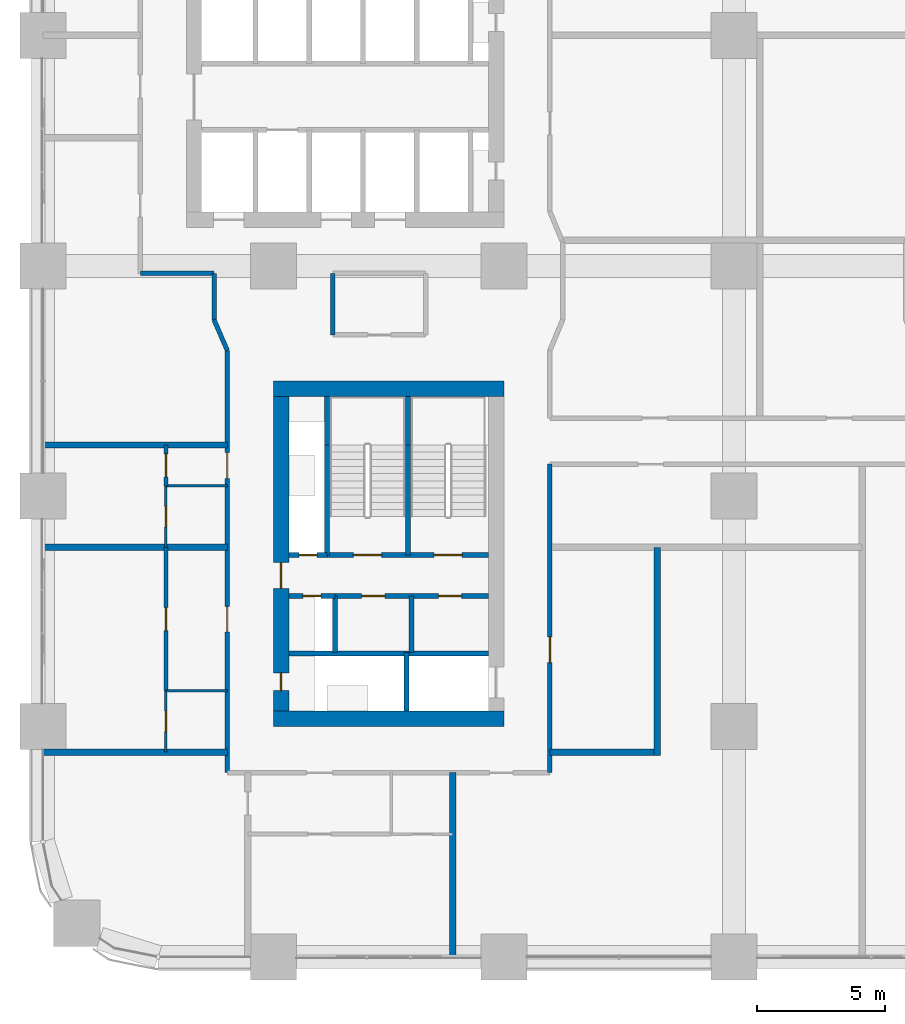
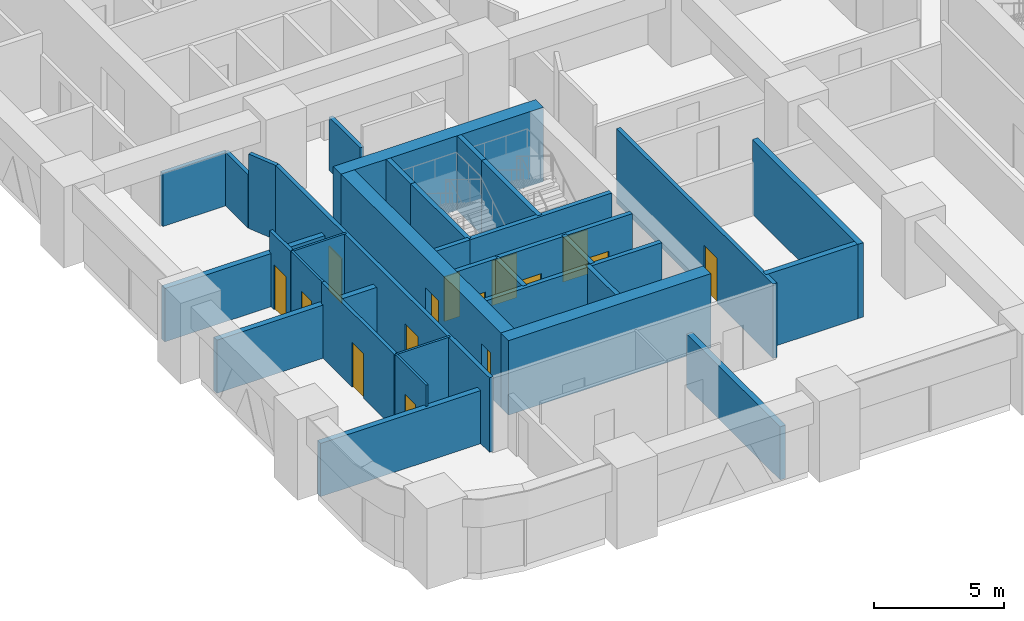
# One storey, part 13 of 23: 33 walls, 15 doors, 15 openings.
"""IFC4 building model written with IfcOpenShell, lengths in metres."""

from ifc_helpers import new_model, si_unit, direction, frame, frame_2d, origin, place, context, subcontext, project, spatial, rectangle, extrude, material, layer, layer_set, type_object, element, fill, save


model = new_model("IFC4")

# Units and contexts
model_context = context("Model", 3, precision=1e-05, world=origin(), true_north=direction((0.0, 1.0)))
body_context = subcontext(model_context, "Body", "Model", "MODEL_VIEW")
ifc_project = project(units=[si_unit("LENGTHUNIT", "METRE"), si_unit("AREAUNIT", "SQUARE_METRE"), si_unit("VOLUMEUNIT", "CUBIC_METRE"), si_unit("PLANEANGLEUNIT", "RADIAN"), si_unit("MASSUNIT", "GRAM", prefix="KILO")], contexts=[model_context])

# Site, building, storey
site_placement = place(None, origin())
site = spatial("IfcSite", under=ifc_project, at=site_placement, CompositionType="ELEMENT")
building_placement = place(site_placement, origin())
building = spatial("IfcBuilding", under=site, at=building_placement, Name="Tessera Arch", CompositionType="ELEMENT")
storey_placement = place(building_placement, frame((0.0, 0.0, 34.800048828125)))
storey = spatial("IfcBuildingStorey", under=building, at=storey_placement, Name="L06", CompositionType="ELEMENT", Elevation=34.800048828125)

# Wall
ifc_material_1 = material(Name="Gypsum board on steel stud", Category="steel")
ifc_layer_1 = layer(ifc_material_1, 0.125)
ifc_layer_set_1 = layer_set([ifc_layer_1], Name="Core partition 125 EI 60")
wall_type_1 = type_object("IfcWallType", Name="Core partition 125 EI 60", PredefinedType="PARTITIONING", material=ifc_layer_set_1)
wall_1_placement = place(storey_placement, frame((14.39990234375, 11.89990234375, 0.0), z_axis=(0.0, 0.0, 1.0), x_axis=(0.0, 1.0, 0.0)))
element("IfcWall", 1, at=wall_1_placement, inside=storey, type_object=wall_type_1, Name="L06 C4 partition wall 7", PredefinedType="PARTITIONING", context=body_context, shape_type="SweptSolid", body=[
    extrude(rectangle(XDim=2.2001953125, YDim=0.199951171875, at=frame_2d((1.10009765625, 0.0))), origin(), (0.0, 0.0, 1.0), 3.5),
])

# Wall, openings, doors
wall_2_placement = place(storey_placement, frame((11.39990234375, 14.10009765625, 0.0), z_axis=(0.0, 0.0, 1.0), x_axis=(1.0, 0.0, 0.0)))
wall_2 = element("IfcWall", 2, at=wall_2_placement, inside=storey, type_object=wall_type_1, Name="L06 C4 partition wall 9", PredefinedType="PARTITIONING", context=body_context, shape_type="SweptSolid", body=[
    extrude(rectangle(XDim=6.0, YDim=0.199951171875, at=frame_2d((3.0, 0.0))), origin(), (0.0, 0.0, 1.0), 3.5),
])
opening_1_placement = place(wall_2_placement, frame((1.050048828125, 0.0, 0.0)))
opening_1 = element("IfcOpeningElement", 3, at=opening_1_placement, cuts=wall_2, Name="Opening L06-C47", PredefinedType="OPENING", context=body_context, shape_type="SweptSolid", body=[
    extrude(rectangle(XDim=0.89990234375, YDim=2.10009765625, at=frame_2d((0.449951171875, 1.050048828125))), frame((0.0, 0.10986328125, 0.0), z_axis=(0.0, -1.0, 0.0), x_axis=(1.0, 0.0, 0.0)), (0.0, 0.0, 1.0), 0.219970703125),
])
opening_2_placement = place(wall_2_placement, frame((4.050048828125, 0.0, 0.0)))
opening_2 = element("IfcOpeningElement", 4, at=opening_2_placement, cuts=wall_2, Name="Opening L06-C48", PredefinedType="OPENING", context=body_context, shape_type="SweptSolid", body=[
    extrude(rectangle(XDim=0.89990234375, YDim=2.10009765625, at=frame_2d((0.449951171875, 1.050048828125))), frame((0.0, 0.10986328125, 0.0), z_axis=(0.0, -1.0, 0.0), x_axis=(1.0, 0.0, 0.0)), (0.0, 0.0, 1.0), 0.219970703125),
])
ifc_material_2 = material(Name="Steel door leaf", Category="steel")
door_type_1 = type_object("IfcDoorType", Name="Store door FD30S 900 x 2100", OperationType="SINGLE_SWING_LEFT", PredefinedType="DOOR", material=ifc_material_2)
door_1_placement = place(opening_1_placement, origin())
door_1 = element("IfcDoor", 5, at=door_1_placement, inside=storey, type_object=door_type_1, Name="L06 C4 door 8 C47 type D09", OperationType="SINGLE_SWING_LEFT", OverallHeight=2.10009765625, OverallWidth=0.89990234375, PredefinedType="DOOR", context=body_context, shape_type="SweptSolid", body=[
    extrude(rectangle(XDim=0.89990234375, YDim=2.10009765625, at=frame_2d((0.449951171875, 1.050048828125))), frame((0.0, 0.02490234375, 0.0), z_axis=(0.0, -1.0, 0.0), x_axis=(1.0, 0.0, 0.0)), (0.0, 0.0, 1.0), 0.050048828125),
])
fill(opening_1, door_1)
door_2_placement = place(opening_2_placement, origin())
door_2 = element("IfcDoor", 6, at=door_2_placement, inside=storey, type_object=door_type_1, Name="L06 C4 door 9 C48 type D09", OperationType="SINGLE_SWING_RIGHT", OverallHeight=2.10009765625, OverallWidth=0.89990234375, PredefinedType="DOOR", context=body_context, shape_type="SweptSolid", body=[
    extrude(rectangle(XDim=0.89990234375, YDim=2.10009765625, at=frame_2d((0.449951171875, 1.050048828125))), frame((0.0, 0.02490234375, 0.0), z_axis=(0.0, -1.0, 0.0), x_axis=(1.0, 0.0, 0.0)), (0.0, 0.0, 1.0), 0.050048828125),
])
fill(opening_2, door_2)

# Walls
ifc_material_3 = material(Name="Concrete C70/85", Category="concrete")
ifc_layer_2 = layer(ifc_material_3, 0.60009765625)
ifc_layer_set_2 = layer_set([ifc_layer_2], Name="Core shell wall 600 C70-85")
wall_type_2 = type_object("IfcWallType", Name="Core shell wall 600 C70-85", PredefinedType="SHEAR", material=ifc_layer_set_2)
for number, where, z_axis, x_axis, name in (
    (7, (9.0, 9.300048828125, 0.0), (0.0, 0.0, 1.0), (1.0, 0.0, 0.0), "L06 C4 core wall S"),
    (8, (9.0, 22.199951171875, 0.0), (0.0, 0.0, 1.0), (1.0, 0.0, 0.0), "L06 C4 core wall N"),
):
    element("IfcWall", number, at=place(storey_placement, frame(where, z_axis=z_axis, x_axis=x_axis)), inside=storey, type_object=wall_type_2, Name=name, PredefinedType="SHEAR", context=body_context, shape_type="SweptSolid", body=[
        extrude(rectangle(XDim=9.0, YDim=0.60009765625, at=frame_2d((4.5, 0.0))), origin(), (0.0, 0.0, 1.0), 3.5),
    ])

# Wall, openings, doors
wall_3_placement = place(storey_placement, frame((9.300048828125, 9.60009765625, 0.0), z_axis=(0.0, 0.0, 1.0), x_axis=(0.0, 1.0, 0.0)))
wall_3 = element("IfcWall", 9, at=wall_3_placement, inside=storey, type_object=wall_type_2, Name="L06 C4 core wall W", PredefinedType="SHEAR", context=body_context, shape_type="SweptSolid", body=[
    extrude(rectangle(XDim=12.2998046875, YDim=0.60009765625, at=frame_2d((6.14990234375, 0.0))), origin(), (0.0, 0.0, 1.0), 3.5),
])
opening_3_placement = place(wall_3_placement, frame((0.800048828125, 0.0, 0.0)))
opening_3 = element("IfcOpeningElement", 10, at=opening_3_placement, cuts=wall_3, Name="Opening L06-C45", PredefinedType="OPENING", context=body_context, shape_type="SweptSolid", body=[
    extrude(rectangle(XDim=0.699951171875, YDim=2.10009765625, at=frame_2d((0.35009765625, 1.050048828125))), frame((0.0, 0.31005859375, 0.0), z_axis=(0.0, -1.0, 0.0), x_axis=(1.0, 0.0, 0.0)), (0.0, 0.0, 1.0), 0.6201171875),
])
opening_4_placement = place(wall_3_placement, frame((4.800048828125, 0.0, 0.0)))
opening_4 = element("IfcOpeningElement", 11, at=opening_4_placement, cuts=wall_3, Name="Opening L06-C46", PredefinedType="OPENING", context=body_context, shape_type="SweptSolid", body=[
    extrude(rectangle(XDim=1.0, YDim=2.10009765625, at=frame_2d((0.5, 1.050048828125))), frame((0.0, 0.31005859375, 0.0), z_axis=(0.0, -1.0, 0.0), x_axis=(1.0, 0.0, 0.0)), (0.0, 0.0, 1.0), 0.6201171875),
])
ifc_material_4 = material(Name="Steel door leaf", Category="steel")
door_type_2 = type_object("IfcDoorType", Name="Corridor door FD60 1000 x 2100", OperationType="SINGLE_SWING_LEFT", PredefinedType="DOOR", material=ifc_material_4)
door_3_placement = place(opening_4_placement, origin())
door_3 = element("IfcDoor", 12, at=door_3_placement, inside=storey, type_object=door_type_2, Name="L06 C4 door 7 C46 type D12", OperationType="SINGLE_SWING_LEFT", OverallHeight=2.10009765625, OverallWidth=1.0, PredefinedType="DOOR", context=body_context, shape_type="SweptSolid", body=[
    extrude(rectangle(XDim=1.0, YDim=2.10009765625, at=frame_2d((0.5, 1.050048828125))), frame((0.0, 0.02490234375, 0.0), z_axis=(0.0, -1.0, 0.0), x_axis=(1.0, 0.0, 0.0)), (0.0, 0.0, 1.0), 0.050048828125),
])
fill(opening_4, door_3)
ifc_material_5 = material(Name="Steel door leaf", Category="steel")
door_type_3 = type_object("IfcDoorType", Name="Service shaft door FD60 700 x 2100", OperationType="SINGLE_SWING_LEFT", PredefinedType="DOOR", material=ifc_material_5)
door_4_placement = place(opening_3_placement, origin())
door_4 = element("IfcDoor", 13, at=door_4_placement, inside=storey, type_object=door_type_3, Name="L06 C4 door 6 C45 type D07", OperationType="SINGLE_SWING_LEFT", OverallHeight=2.10009765625, OverallWidth=0.699951171875, PredefinedType="DOOR", context=body_context, shape_type="SweptSolid", body=[
    extrude(rectangle(XDim=0.699951171875, YDim=2.10009765625, at=frame_2d((0.35009765625, 1.050048828125))), frame((0.0, 0.02490234375, 0.0), z_axis=(0.0, -1.0, 0.0), x_axis=(1.0, 0.0, 0.0)), (0.0, 0.0, 1.0), 0.050048828125),
])
fill(opening_3, door_4)

# Walls
ifc_material_6 = material(Name="Gypsum board on deep steel stud with mineral wool", Category="steel")
ifc_layer_3 = layer(ifc_material_6, 0.175048828125)
ifc_layer_set_3 = layer_set([ifc_layer_3], Name="Corridor wall 175 EI 60")
wall_type_3 = type_object("IfcWallType", Name="Corridor wall 175 EI 60", PredefinedType="PARTITIONING", material=ifc_layer_set_3)
wall_4_placement = place(storey_placement, frame((3.800048828125, 26.699951171875, 0.0), z_axis=(0.0, 0.0, 1.0), x_axis=(1.0, 0.0, 0.0)))
element("IfcWall", 14, at=wall_4_placement, inside=storey, type_object=wall_type_3, Name="L06 partition 7", PredefinedType="PARTITIONING", context=body_context, shape_type="SweptSolid", body=[
    extrude(rectangle(XDim=2.8798828125, YDim=0.175048828125, at=frame_2d((1.43994140625, 0.0))), origin(), (0.0, 0.0, 1.0), 2.5),
])
wall_5_placement = place(storey_placement, frame((6.679931640625, 24.889892578125, 0.0), z_axis=(0.0, 0.0, 1.0), x_axis=(0.0, 1.0, 0.0)))
element("IfcWall", 15, at=wall_5_placement, inside=storey, type_object=wall_type_3, Name="L06 partition 16", PredefinedType="PARTITIONING", context=body_context, shape_type="SweptSolid", body=[
    extrude(rectangle(XDim=1.81005859375, YDim=0.175048828125, at=frame_2d((0.905029296875, 0.0))), origin(), (0.0, 0.0, 1.0), 2.5),
])

# Wall, openings, doors
wall_6_placement = place(storey_placement, frame((7.199951171875, 7.199951171875, 0.0), z_axis=(0.0, 0.0, 1.0), x_axis=(0.0, 1.0, 0.0)))
wall_6 = element("IfcWall", 16, at=wall_6_placement, inside=storey, type_object=wall_type_3, Name="L06 partition 17", PredefinedType="PARTITIONING", context=body_context, shape_type="SweptSolid", body=[
    extrude(rectangle(XDim=16.489990234375, YDim=0.175048828125, at=frame_2d((8.2451171875, 0.0))), origin(), (0.0, 0.0, 1.0), 3.5),
])
opening_5_placement = place(wall_6_placement, frame((5.5, 0.0, 0.0)))
opening_5 = element("IfcOpeningElement", 17, at=opening_5_placement, cuts=wall_6, Name="Opening L06-D009", PredefinedType="OPENING", context=body_context, shape_type="SweptSolid", body=[
    extrude(rectangle(XDim=1.0, YDim=2.10009765625, at=frame_2d((0.5, 1.050048828125))), frame((0.0, 0.097412109375, 0.0), z_axis=(0.0, -1.0, 0.0), x_axis=(1.0, 0.0, 0.0)), (0.0, 0.0, 1.0), 0.195068359375),
])
opening_6_placement = place(wall_6_placement, frame((11.5, 0.0, 0.0)))
opening_6 = element("IfcOpeningElement", 18, at=opening_6_placement, cuts=wall_6, Name="Opening L06-D017", PredefinedType="OPENING", context=body_context, shape_type="SweptSolid", body=[
    extrude(rectangle(XDim=1.0, YDim=2.10009765625, at=frame_2d((0.5, 1.050048828125))), frame((0.0, 0.097412109375, 0.0), z_axis=(0.0, -1.0, 0.0), x_axis=(1.0, 0.0, 0.0)), (0.0, 0.0, 1.0), 0.195068359375),
])
ifc_material_7 = material(Name="Fire-rated door leaf")
door_type_4 = type_object("IfcDoorType", Name="Entrance door FD30S 1000 x 2100", OperationType="SINGLE_SWING_LEFT", PredefinedType="DOOR", material=ifc_material_7)
door_5_placement = place(opening_5_placement, origin())
door_5 = element("IfcDoor", 19, at=door_5_placement, inside=storey, type_object=door_type_4, Name="L06 door D009 type D03", OperationType="SINGLE_SWING_RIGHT", OverallHeight=2.10009765625, OverallWidth=1.0, PredefinedType="DOOR", context=body_context, shape_type="SweptSolid", body=[
    extrude(rectangle(XDim=1.0, YDim=2.10009765625, at=frame_2d((0.5, 1.050048828125))), frame((0.0, 0.02490234375, 0.0), z_axis=(0.0, -1.0, 0.0), x_axis=(1.0, 0.0, 0.0)), (0.0, 0.0, 1.0), 0.050048828125),
])
fill(opening_5, door_5)
door_6_placement = place(opening_6_placement, origin())
door_6 = element("IfcDoor", 20, at=door_6_placement, inside=storey, type_object=door_type_4, Name="L06 door D017 type D03", OperationType="SINGLE_SWING_RIGHT", OverallHeight=2.10009765625, OverallWidth=1.0, PredefinedType="DOOR", context=body_context, shape_type="SweptSolid", body=[
    extrude(rectangle(XDim=1.0, YDim=2.10009765625, at=frame_2d((0.5, 1.050048828125))), frame((0.0, 0.02490234375, 0.0), z_axis=(0.0, -1.0, 0.0), x_axis=(1.0, 0.0, 0.0)), (0.0, 0.0, 1.0), 0.050048828125),
])
fill(opening_6, door_6)

# Wall
wall_7_placement = place(storey_placement, frame((11.320068359375, 24.300048828125, 0.0), z_axis=(0.0, 0.0, 1.0), x_axis=(0.0, 1.0, 0.0)))
element("IfcWall", 21, at=wall_7_placement, inside=storey, type_object=wall_type_3, Name="L06 partition 18", PredefinedType="PARTITIONING", context=body_context, shape_type="SweptSolid", body=[
    extrude(rectangle(XDim=2.39990234375, YDim=0.175048828125, at=frame_2d((1.199951171875, 0.0))), origin(), (0.0, 0.0, 1.0), 2.5),
])

# Wall, opening, door
wall_8_placement = place(storey_placement, frame((19.800048828125, 7.199951171875, 0.0), z_axis=(0.0, 0.0, 1.0), x_axis=(0.0, 1.0, 0.0)))
wall_8 = element("IfcWall", 22, at=wall_8_placement, inside=storey, type_object=wall_type_3, Name="L06 partition 20", PredefinedType="PARTITIONING", context=body_context, shape_type="SweptSolid", body=[
    extrude(rectangle(XDim=12.050048828125, YDim=0.175048828125, at=frame_2d((6.02490234375, 0.0))), origin(), (0.0, 0.0, 1.0), 3.5),
])
opening_7_placement = place(wall_8_placement, frame((4.300048828125, 0.0, 0.0)))
opening_7 = element("IfcOpeningElement", 23, at=opening_7_placement, cuts=wall_8, Name="Opening L06-D012", PredefinedType="OPENING", context=body_context, shape_type="SweptSolid", body=[
    extrude(rectangle(XDim=1.0, YDim=2.10009765625, at=frame_2d((0.5, 1.050048828125))), frame((0.0, 0.097412109375, 0.0), z_axis=(0.0, -1.0, 0.0), x_axis=(1.0, 0.0, 0.0)), (0.0, 0.0, 1.0), 0.195068359375),
])
door_7_placement = place(opening_7_placement, origin())
door_7 = element("IfcDoor", 24, at=door_7_placement, inside=storey, type_object=door_type_4, Name="L06 door D012 type D03", OperationType="SINGLE_SWING_RIGHT", OverallHeight=2.10009765625, OverallWidth=1.0, PredefinedType="DOOR", context=body_context, shape_type="SweptSolid", body=[
    extrude(rectangle(XDim=1.0, YDim=2.10009765625, at=frame_2d((0.5, 1.050048828125))), frame((0.0, 0.02490234375, 0.0), z_axis=(0.0, -1.0, 0.0), x_axis=(1.0, 0.0, 0.0)), (0.0, 0.0, 1.0), 0.050048828125),
])
fill(opening_7, door_7)

# Wall
wall_9_placement = place(storey_placement, frame((7.199951171875, 23.68994140625, 0.0), z_axis=(0.0, 0.0, 1.0), x_axis=(-0.397633632391, 0.917544273804, 0.0)))
element("IfcWall", 25, at=wall_9_placement, inside=storey, type_object=wall_type_3, Name="L06 partition 86", PredefinedType="PARTITIONING", context=body_context, shape_type="SweptSolid", body=[
    extrude(rectangle(XDim=1.307861328125, YDim=0.175048828125, at=frame_2d((0.65380859375, 0.0))), origin(), (0.0, 0.0, 1.0), 3.5),
])

# Wall, opening, door
ifc_material_8 = material(Name="Gypsum board on steel stud", Category="steel")
ifc_layer_4 = layer(ifc_material_8, 0.14990234375)
ifc_layer_set_4 = layer_set([ifc_layer_4], Name="Partition 150")
wall_type_4 = type_object("IfcWallType", Name="Partition 150", PredefinedType="PARTITIONING", material=ifc_layer_set_4)
wall_10_placement = place(storey_placement, frame((4.800048828125, 10.39990234375, 0.0), z_axis=(0.0, 0.0, 1.0), x_axis=(0.0, 1.0, 0.0)))
wall_10 = element("IfcWall", 26, at=wall_10_placement, inside=storey, type_object=wall_type_4, Name="L06 partition 38", PredefinedType="PARTITIONING", context=body_context, shape_type="SweptSolid", body=[
    extrude(rectangle(XDim=5.60009765625, YDim=0.14990234375, at=frame_2d((2.800048828125, 0.0))), origin(), (0.0, 0.0, 1.0), 3.5),
])
opening_8_placement = place(wall_10_placement, frame((2.35009765625, 0.0, 0.0)))
opening_8 = element("IfcOpeningElement", 27, at=opening_8_placement, cuts=wall_10, Name="Opening L06-D010", PredefinedType="OPENING", context=body_context, shape_type="SweptSolid", body=[
    extrude(rectangle(XDim=0.89990234375, YDim=2.10009765625, at=frame_2d((0.449951171875, 1.050048828125))), frame((0.0, 0.0849609375, 0.0), z_axis=(0.0, -1.0, 0.0), x_axis=(1.0, 0.0, 0.0)), (0.0, 0.0, 1.0), 0.169921875),
])
ifc_material_9 = material(Name="Timber door leaf", Category="wood")
door_type_5 = type_object("IfcDoorType", Name="Room door 900 x 2100", OperationType="SINGLE_SWING_LEFT", PredefinedType="DOOR", material=ifc_material_9)
door_8_placement = place(opening_8_placement, origin())
door_8 = element("IfcDoor", 28, at=door_8_placement, inside=storey, type_object=door_type_5, Name="L06 door D010 type D01", OperationType="SINGLE_SWING_LEFT", OverallHeight=2.10009765625, OverallWidth=0.89990234375, PredefinedType="DOOR", context=body_context, shape_type="SweptSolid", body=[
    extrude(rectangle(XDim=0.89990234375, YDim=2.10009765625, at=frame_2d((0.449951171875, 1.050048828125))), frame((0.0, 0.02490234375, 0.0), z_axis=(0.0, -1.0, 0.0), x_axis=(1.0, 0.0, 0.0)), (0.0, 0.0, 1.0), 0.050048828125),
])
fill(opening_8, door_8)

wall_11_placement = place(storey_placement, frame((4.800048828125, 18.39990234375, 0.0), z_axis=(0.0, 0.0, 1.0), x_axis=(0.0, 1.0, 0.0)))
wall_11 = element("IfcWall", 29, at=wall_11_placement, inside=storey, type_object=wall_type_4, Name="L06 partition 39", PredefinedType="PARTITIONING", context=body_context, shape_type="SweptSolid", body=[
    extrude(rectangle(XDim=1.60009765625, YDim=0.14990234375, at=frame_2d((0.800048828125, 0.0))), origin(), (0.0, 0.0, 1.0), 3.5),
])
opening_9_placement = place(wall_11_placement, frame((0.35009765625, 0.0, 0.0)))
opening_9 = element("IfcOpeningElement", 30, at=opening_9_placement, cuts=wall_11, Name="Opening L06-D018", PredefinedType="OPENING", context=body_context, shape_type="SweptSolid", body=[
    extrude(rectangle(XDim=0.89990234375, YDim=2.10009765625, at=frame_2d((0.449951171875, 1.050048828125))), frame((0.0, 0.0849609375, 0.0), z_axis=(0.0, -1.0, 0.0), x_axis=(1.0, 0.0, 0.0)), (0.0, 0.0, 1.0), 0.169921875),
])
door_9_placement = place(opening_9_placement, origin())
door_9 = element("IfcDoor", 31, at=door_9_placement, inside=storey, type_object=door_type_5, Name="L06 door D018 type D01", OperationType="SINGLE_SWING_LEFT", OverallHeight=2.10009765625, OverallWidth=0.89990234375, PredefinedType="DOOR", context=body_context, shape_type="SweptSolid", body=[
    extrude(rectangle(XDim=0.89990234375, YDim=2.10009765625, at=frame_2d((0.449951171875, 1.050048828125))), frame((0.0, 0.02490234375, 0.0), z_axis=(0.0, -1.0, 0.0), x_axis=(1.0, 0.0, 0.0)), (0.0, 0.0, 1.0), 0.050048828125),
])
fill(opening_9, door_9)

# Walls
ifc_material_10 = material(Name="Double gypsum board on twin steel stud with acoustic mineral wool", Category="steel")
ifc_layer_5 = layer(ifc_material_10, 0.25)
ifc_layer_set_5 = layer_set([ifc_layer_5], Name="Party wall 250 EI 60")
wall_type_5 = type_object("IfcWallType", Name="Party wall 250 EI 60", PredefinedType="PARTITIONING", material=ifc_layer_set_5)
wall_12_placement = place(storey_placement, frame((0.0, 8.0, 0.0), z_axis=(0.0, 0.0, 1.0), x_axis=(1.0, 0.0, 0.0)))
element("IfcWall", 32, at=wall_12_placement, inside=storey, type_object=wall_type_5, Name="L06 partition 42", PredefinedType="PARTITIONING", context=body_context, shape_type="SweptSolid", body=[
    extrude(rectangle(XDim=7.199951171875, YDim=0.25, at=frame_2d((3.60009765625, 0.0))), origin(), (0.0, 0.0, 1.0), 2.5),
])
wall_13_placement = place(storey_placement, frame((19.800048828125, 8.0, 0.0), z_axis=(0.0, 0.0, 1.0), x_axis=(1.0, 0.0, 0.0)))
element("IfcWall", 33, at=wall_13_placement, inside=storey, type_object=wall_type_5, Name="L06 partition 43", PredefinedType="PARTITIONING", context=body_context, shape_type="SweptSolid", body=[
    extrude(rectangle(XDim=4.074951171875, YDim=0.25, at=frame_2d((2.03759765625, 0.0))), origin(), (0.0, 0.0, 1.0), 3.5),
])
for number, where, z_axis, x_axis, name in (
    (34, (0.0, 16.0, 0.0), (0.0, 0.0, 1.0), (1.0, 0.0, 0.0), "L06 partition 45"),
    (35, (0.0, 20.0, 0.0), (0.0, 0.0, 1.0), (1.0, 0.0, 0.0), "L06 partition 48"),
    (36, (16.0, 0.0, 0.0), (0.0, 0.0, 1.0), (0.0, 1.0, 0.0), "L06 partition 58"),
):
    element("IfcWall", number, at=place(storey_placement, frame(where, z_axis=z_axis, x_axis=x_axis)), inside=storey, type_object=wall_type_5, Name=name, PredefinedType="PARTITIONING", context=body_context, shape_type="SweptSolid", body=[
        extrude(rectangle(XDim=7.199951171875, YDim=0.25, at=frame_2d((3.60009765625, 0.0))), origin(), (0.0, 0.0, 1.0), 2.5),
    ])
wall_14_placement = place(storey_placement, frame((24.0, 7.875, 0.0), z_axis=(0.0, 0.0, 1.0), x_axis=(0.0, 1.0, 0.0)))
element("IfcWall", 37, at=wall_14_placement, inside=storey, type_object=wall_type_5, Name="L06 partition 60", PredefinedType="PARTITIONING", context=body_context, shape_type="SweptSolid", body=[
    extrude(rectangle(XDim=8.125, YDim=0.25, at=frame_2d((4.0625, 0.0))), origin(), (0.0, 0.0, 1.0), 3.5),
])
ifc_material_11 = material(Name="Concrete C40/50", Category="concrete")
ifc_layer_6 = layer(ifc_material_11, 0.199951171875)
ifc_layer_set_6 = layer_set([ifc_layer_6], Name="Shaft wall 200 EI 120")
wall_type_6 = type_object("IfcWallType", Name="Shaft wall 200 EI 120", PredefinedType="SOLIDWALL", material=ifc_layer_set_6)
wall_15_placement = place(storey_placement, frame((11.39990234375, 11.89990234375, 0.0), z_axis=(0.0, 0.0, 1.0), x_axis=(0.0, 1.0, 0.0)))
element("IfcWall", 38, at=wall_15_placement, inside=storey, type_object=wall_type_6, Name="L06 C4 shaft wall 3", PredefinedType="SOLIDWALL", context=body_context, shape_type="SweptSolid", body=[
    extrude(rectangle(XDim=2.2001953125, YDim=0.199951171875, at=frame_2d((1.10009765625, 0.0))), origin(), (0.0, 0.0, 1.0), 3.5),
])
wall_16_placement = place(storey_placement, frame((14.199951171875, 9.60009765625, 0.0), z_axis=(0.0, 0.0, 1.0), x_axis=(0.0, 1.0, 0.0)))
element("IfcWall", 39, at=wall_16_placement, inside=storey, type_object=wall_type_6, Name="L06 C4 shaft wall 4", PredefinedType="SOLIDWALL", context=body_context, shape_type="SweptSolid", body=[
    extrude(rectangle(XDim=2.2998046875, YDim=0.199951171875, at=frame_2d((1.14990234375, 0.0))), origin(), (0.0, 0.0, 1.0), 3.5),
])
wall_17_placement = place(storey_placement, frame((9.60009765625, 11.85009765625, 0.0), z_axis=(0.0, 0.0, 1.0), x_axis=(1.0, 0.0, 0.0)))
element("IfcWall", 40, at=wall_17_placement, inside=storey, type_object=wall_type_6, Name="L06 C4 shaft wall 8", PredefinedType="SOLIDWALL", context=body_context, shape_type="SweptSolid", body=[
    extrude(rectangle(XDim=7.7998046875, YDim=0.199951171875, at=frame_2d((3.89990234375, 0.0))), origin(), (0.0, 0.0, 1.0), 3.5),
])

# Wall, opening, door
wall_18_placement = place(storey_placement, frame((9.60009765625, 14.10009765625, 0.0), z_axis=(0.0, 0.0, 1.0), x_axis=(1.0, 0.0, 0.0)))
wall_18 = element("IfcWall", 41, at=wall_18_placement, inside=storey, type_object=wall_type_6, Name="L06 C4 shaft wall 10", PredefinedType="SOLIDWALL", context=body_context, shape_type="SweptSolid", body=[
    extrude(rectangle(XDim=1.7998046875, YDim=0.199951171875, at=frame_2d((0.89990234375, 0.0))), origin(), (0.0, 0.0, 1.0), 3.5),
])
opening_10_placement = place(wall_18_placement, frame((0.550048828125, 0.0, 0.0)))
opening_10 = element("IfcOpeningElement", 42, at=opening_10_placement, cuts=wall_18, Name="Opening L06-C44", PredefinedType="OPENING", context=body_context, shape_type="SweptSolid", body=[
    extrude(rectangle(XDim=0.699951171875, YDim=2.10009765625, at=frame_2d((0.35009765625, 1.050048828125))), frame((0.0, 0.10986328125, 0.0), z_axis=(0.0, -1.0, 0.0), x_axis=(1.0, 0.0, 0.0)), (0.0, 0.0, 1.0), 0.219970703125),
])
door_10_placement = place(opening_10_placement, origin())
door_10 = element("IfcDoor", 43, at=door_10_placement, inside=storey, type_object=door_type_3, Name="L06 C4 door 5 C44 type D07", OperationType="SINGLE_SWING_LEFT", OverallHeight=2.10009765625, OverallWidth=0.699951171875, PredefinedType="DOOR", context=body_context, shape_type="SweptSolid", body=[
    extrude(rectangle(XDim=0.699951171875, YDim=2.10009765625, at=frame_2d((0.35009765625, 1.050048828125))), frame((0.0, 0.02490234375, 0.0), z_axis=(0.0, -1.0, 0.0), x_axis=(1.0, 0.0, 0.0)), (0.0, 0.0, 1.0), 0.050048828125),
])
fill(opening_10, door_10)

wall_19_placement = place(storey_placement, frame((9.60009765625, 15.699951171875, 0.0), z_axis=(0.0, 0.0, 1.0), x_axis=(1.0, 0.0, 0.0)))
wall_19 = element("IfcWall", 44, at=wall_19_placement, inside=storey, type_object=wall_type_6, Name="L06 C4 shaft wall 11", PredefinedType="SOLIDWALL", context=body_context, shape_type="SweptSolid", body=[
    extrude(rectangle(XDim=1.5, YDim=0.199951171875, at=frame_2d((0.75, 0.0))), origin(), (0.0, 0.0, 1.0), 3.5),
])
opening_11_placement = place(wall_19_placement, frame((0.39990234375, 0.0, 0.0)))
opening_11 = element("IfcOpeningElement", 45, at=opening_11_placement, cuts=wall_19, Name="Opening L06-C43", PredefinedType="OPENING", context=body_context, shape_type="SweptSolid", body=[
    extrude(rectangle(XDim=0.699951171875, YDim=2.10009765625, at=frame_2d((0.35009765625, 1.050048828125))), frame((0.0, 0.10986328125, 0.0), z_axis=(0.0, -1.0, 0.0), x_axis=(1.0, 0.0, 0.0)), (0.0, 0.0, 1.0), 0.219970703125),
])
door_11_placement = place(opening_11_placement, origin())
door_11 = element("IfcDoor", 46, at=door_11_placement, inside=storey, type_object=door_type_3, Name="L06 C4 door 4 C43 type D07", OperationType="SINGLE_SWING_LEFT", OverallHeight=2.10009765625, OverallWidth=0.699951171875, PredefinedType="DOOR", context=body_context, shape_type="SweptSolid", body=[
    extrude(rectangle(XDim=0.699951171875, YDim=2.10009765625, at=frame_2d((0.35009765625, 1.050048828125))), frame((0.0, 0.02490234375, 0.0), z_axis=(0.0, -1.0, 0.0), x_axis=(1.0, 0.0, 0.0)), (0.0, 0.0, 1.0), 0.050048828125),
])
fill(opening_11, door_11)

# Walls
ifc_material_12 = material(Name="Concrete C40/50", Category="concrete")
ifc_layer_7 = layer(ifc_material_12, 0.199951171875)
ifc_layer_set_7 = layer_set([ifc_layer_7], Name="Stair well wall 200 REI 180")
wall_type_7 = type_object("IfcWallType", Name="Stair well wall 200 REI 180", PredefinedType="SOLIDWALL", material=ifc_layer_set_7)
wall_20_placement = place(storey_placement, frame((11.10009765625, 15.699951171875, 0.0), z_axis=(0.0, 0.0, 1.0), x_axis=(0.0, 1.0, 0.0)))
element("IfcWall", 47, at=wall_20_placement, inside=storey, type_object=wall_type_7, Name="L06 C4 shaft wall 1", PredefinedType="SOLIDWALL", context=body_context, shape_type="SweptSolid", body=[
    extrude(rectangle(XDim=4.300048828125, YDim=0.199951171875, at=frame_2d((2.14990234375, 0.0))), origin(), (0.0, 0.0, 1.0), 3.5),
])
wall_21_placement = place(storey_placement, frame((11.10009765625, 20.0, 0.0), z_axis=(0.0, 0.0, 1.0), x_axis=(0.0, 1.0, 0.0)))
element("IfcWall", 48, at=wall_21_placement, inside=storey, type_object=wall_type_7, Name="L06 C4 shaft wall 2", PredefinedType="SOLIDWALL", context=body_context, shape_type="SweptSolid", body=[
    extrude(rectangle(XDim=1.89990234375, YDim=0.199951171875, at=frame_2d((0.949951171875, 0.0))), origin(), (0.0, 0.0, 1.0), 3.5),
])
wall_22_placement = place(storey_placement, frame((14.25, 15.699951171875, 0.0), z_axis=(0.0, 0.0, 1.0), x_axis=(0.0, 1.0, 0.0)))
element("IfcWall", 49, at=wall_22_placement, inside=storey, type_object=wall_type_7, Name="L06 C4 shaft wall 5", PredefinedType="SOLIDWALL", context=body_context, shape_type="SweptSolid", body=[
    extrude(rectangle(XDim=4.300048828125, YDim=0.199951171875, at=frame_2d((2.14990234375, 0.0))), origin(), (0.0, 0.0, 1.0), 3.5),
])
wall_23_placement = place(storey_placement, frame((14.25, 20.0, 0.0), z_axis=(0.0, 0.0, 1.0), x_axis=(0.0, 1.0, 0.0)))
element("IfcWall", 50, at=wall_23_placement, inside=storey, type_object=wall_type_7, Name="L06 C4 shaft wall 6", PredefinedType="SOLIDWALL", context=body_context, shape_type="SweptSolid", body=[
    extrude(rectangle(XDim=1.89990234375, YDim=0.199951171875, at=frame_2d((0.949951171875, 0.0))), origin(), (0.0, 0.0, 1.0), 3.5),
])

# Wall, openings, doors
wall_24_placement = place(storey_placement, frame((11.10009765625, 15.699951171875, 0.0), z_axis=(0.0, 0.0, 1.0), x_axis=(1.0, 0.0, 0.0)))
wall_24 = element("IfcWall", 51, at=wall_24_placement, inside=storey, type_object=wall_type_7, Name="L06 C4 shaft wall 12", PredefinedType="SOLIDWALL", context=body_context, shape_type="SweptSolid", body=[
    extrude(rectangle(XDim=6.2998046875, YDim=0.199951171875, at=frame_2d((3.14990234375, 0.0))), origin(), (0.0, 0.0, 1.0), 3.5),
])
opening_12_placement = place(wall_24_placement, frame((4.175048828125, 0.0, 0.0)))
opening_12 = element("IfcOpeningElement", 52, at=opening_12_placement, cuts=wall_24, Name="Opening L06-C41", PredefinedType="OPENING", context=body_context, shape_type="SweptSolid", body=[
    extrude(rectangle(XDim=1.10009765625, YDim=2.10009765625, at=frame_2d((0.550048828125, 1.050048828125))), frame((0.0, 0.10986328125, 0.0), z_axis=(0.0, -1.0, 0.0), x_axis=(1.0, 0.0, 0.0)), (0.0, 0.0, 1.0), 0.219970703125),
])
opening_13_placement = place(wall_24_placement, frame((1.02490234375, 0.0, 0.0)))
opening_13 = element("IfcOpeningElement", 53, at=opening_13_placement, cuts=wall_24, Name="Opening L06-C42", PredefinedType="OPENING", context=body_context, shape_type="SweptSolid", body=[
    extrude(rectangle(XDim=1.10009765625, YDim=2.10009765625, at=frame_2d((0.550048828125, 1.050048828125))), frame((0.0, 0.10986328125, 0.0), z_axis=(0.0, -1.0, 0.0), x_axis=(1.0, 0.0, 0.0)), (0.0, 0.0, 1.0), 0.219970703125),
])
ifc_material_13 = material(Name="Steel door leaf", Category="steel")
door_type_6 = type_object("IfcDoorType", Name="Stair door FD60 1100 x 2100", OperationType="SINGLE_SWING_LEFT", PredefinedType="DOOR", material=ifc_material_13)
door_12_placement = place(opening_12_placement, origin())
door_12 = element("IfcDoor", 54, at=door_12_placement, inside=storey, type_object=door_type_6, Name="L06 C4 door 2 C41 type D05", OperationType="SINGLE_SWING_RIGHT", OverallHeight=2.10009765625, OverallWidth=1.10009765625, PredefinedType="DOOR", context=body_context, shape_type="SweptSolid", body=[
    extrude(rectangle(XDim=1.10009765625, YDim=2.10009765625, at=frame_2d((0.550048828125, 1.050048828125))), frame((0.0, 0.02490234375, 0.0), z_axis=(0.0, -1.0, 0.0), x_axis=(1.0, 0.0, 0.0)), (0.0, 0.0, 1.0), 0.050048828125),
])
fill(opening_12, door_12)
door_13_placement = place(opening_13_placement, origin())
door_13 = element("IfcDoor", 55, at=door_13_placement, inside=storey, type_object=door_type_6, Name="L06 C4 door 3 C42 type D05", OperationType="SINGLE_SWING_LEFT", OverallHeight=2.10009765625, OverallWidth=1.10009765625, PredefinedType="DOOR", context=body_context, shape_type="SweptSolid", body=[
    extrude(rectangle(XDim=1.10009765625, YDim=2.10009765625, at=frame_2d((0.550048828125, 1.050048828125))), frame((0.0, 0.02490234375, 0.0), z_axis=(0.0, -1.0, 0.0), x_axis=(1.0, 0.0, 0.0)), (0.0, 0.0, 1.0), 0.050048828125),
])
fill(opening_13, door_13)

# Walls
ifc_material_14 = material(Name="Moisture-resistant board on pre-plumbed steel stud", Category="steel")
ifc_layer_8 = layer(ifc_material_14, 0.10009765625)
ifc_layer_set_8 = layer_set([ifc_layer_8], Name="Wet wall 100")
wall_type_8 = type_object("IfcWallType", Name="Wet wall 100", PredefinedType="PARTITIONING", material=ifc_layer_set_8)
for number, where, z_axis, x_axis, name in (
    (56, (4.800048828125, 10.39990234375, 0.0), (0.0, 0.0, 1.0), (1.0, 0.0, 0.0), "L06 partition 70"),
    (57, (4.800048828125, 18.39990234375, 0.0), (0.0, 0.0, 1.0), (1.0, 0.0, 0.0), "L06 partition 73"),
):
    element("IfcWall", number, at=place(storey_placement, frame(where, z_axis=z_axis, x_axis=x_axis)), inside=storey, type_object=wall_type_8, Name=name, PredefinedType="PARTITIONING", context=body_context, shape_type="SweptSolid", body=[
        extrude(rectangle(XDim=2.39990234375, YDim=0.10009765625, at=frame_2d((1.199951171875, 0.0))), origin(), (0.0, 0.0, 1.0), 3.5),
    ])

# Wall, opening, door
wall_25_placement = place(storey_placement, frame((4.800048828125, 8.0, 0.0), z_axis=(0.0, 0.0, 1.0), x_axis=(0.0, 1.0, 0.0)))
wall_25 = element("IfcWall", 58, at=wall_25_placement, inside=storey, type_object=wall_type_8, Name="L06 partition 75", PredefinedType="PARTITIONING", context=body_context, shape_type="SweptSolid", body=[
    extrude(rectangle(XDim=2.39990234375, YDim=0.10009765625, at=frame_2d((1.199951171875, 0.0))), origin(), (0.0, 0.0, 1.0), 3.5),
])
opening_14_placement = place(wall_25_placement, frame((0.800048828125, 0.0, 0.0)))
opening_14 = element("IfcOpeningElement", 59, at=opening_14_placement, cuts=wall_25, Name="Opening L06-D011", PredefinedType="OPENING", context=body_context, shape_type="SweptSolid", body=[
    extrude(rectangle(XDim=0.800048828125, YDim=2.10009765625, at=frame_2d((0.39990234375, 1.050048828125))), frame((0.0, 0.06005859375, 0.0), z_axis=(0.0, -1.0, 0.0), x_axis=(1.0, 0.0, 0.0)), (0.0, 0.0, 1.0), 0.1201171875),
])
ifc_material_15 = material(Name="Timber door leaf", Category="wood")
door_type_7 = type_object("IfcDoorType", Name="En-suite door 800 x 2100", OperationType="SINGLE_SWING_LEFT", PredefinedType="DOOR", material=ifc_material_15)
door_14_placement = place(opening_14_placement, origin())
door_14 = element("IfcDoor", 60, at=door_14_placement, inside=storey, type_object=door_type_7, Name="L06 door D011 type D02", OperationType="SINGLE_SWING_RIGHT", OverallHeight=2.10009765625, OverallWidth=0.800048828125, PredefinedType="DOOR", context=body_context, shape_type="SweptSolid", body=[
    extrude(rectangle(XDim=0.800048828125, YDim=2.10009765625, at=frame_2d((0.39990234375, 1.050048828125))), frame((0.0, 0.02490234375, 0.0), z_axis=(0.0, -1.0, 0.0), x_axis=(1.0, 0.0, 0.0)), (0.0, 0.0, 1.0), 0.050048828125),
])
fill(opening_14, door_14)

wall_26_placement = place(storey_placement, frame((4.800048828125, 16.0, 0.0), z_axis=(0.0, 0.0, 1.0), x_axis=(0.0, 1.0, 0.0)))
wall_26 = element("IfcWall", 61, at=wall_26_placement, inside=storey, type_object=wall_type_8, Name="L06 partition 76", PredefinedType="PARTITIONING", context=body_context, shape_type="SweptSolid", body=[
    extrude(rectangle(XDim=2.39990234375, YDim=0.10009765625, at=frame_2d((1.199951171875, 0.0))), origin(), (0.0, 0.0, 1.0), 3.5),
])
opening_15_placement = place(wall_26_placement, frame((0.800048828125, 0.0, 0.0)))
opening_15 = element("IfcOpeningElement", 62, at=opening_15_placement, cuts=wall_26, Name="Opening L06-D019", PredefinedType="OPENING", context=body_context, shape_type="SweptSolid", body=[
    extrude(rectangle(XDim=0.800048828125, YDim=2.10009765625, at=frame_2d((0.39990234375, 1.050048828125))), frame((0.0, 0.06005859375, 0.0), z_axis=(0.0, -1.0, 0.0), x_axis=(1.0, 0.0, 0.0)), (0.0, 0.0, 1.0), 0.1201171875),
])
door_15_placement = place(opening_15_placement, origin())
door_15 = element("IfcDoor", 63, at=door_15_placement, inside=storey, type_object=door_type_7, Name="L06 door D019 type D02", OperationType="SINGLE_SWING_RIGHT", OverallHeight=2.10009765625, OverallWidth=0.800048828125, PredefinedType="DOOR", context=body_context, shape_type="SweptSolid", body=[
    extrude(rectangle(XDim=0.800048828125, YDim=2.10009765625, at=frame_2d((0.39990234375, 1.050048828125))), frame((0.0, 0.02490234375, 0.0), z_axis=(0.0, -1.0, 0.0), x_axis=(1.0, 0.0, 0.0)), (0.0, 0.0, 1.0), 0.050048828125),
])
fill(opening_15, door_15)

save(model, "model.ifc")
